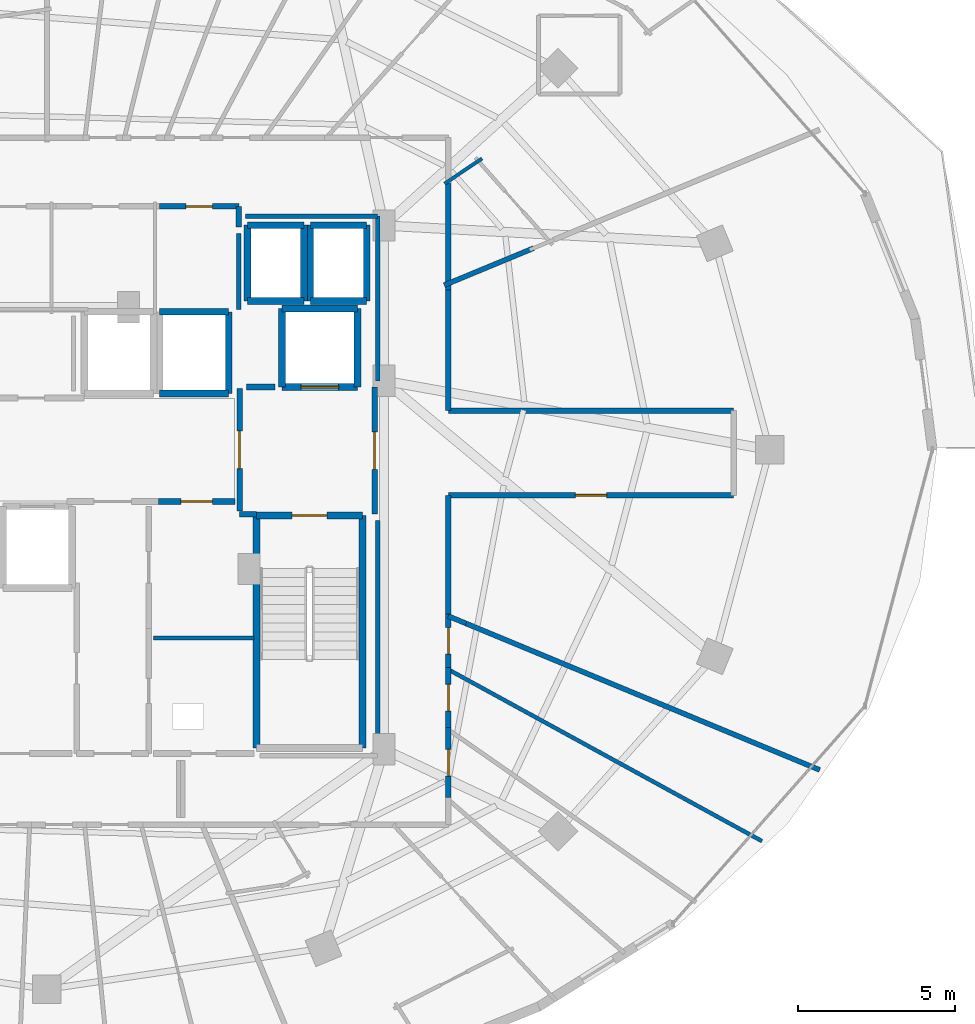
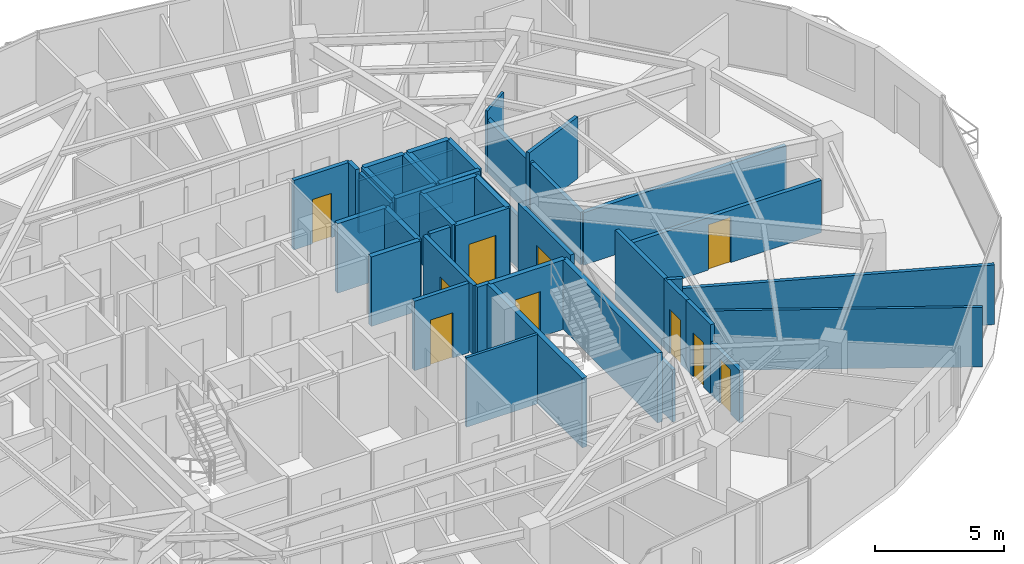
# One storey, part 28 of 33: 43 walls, 10 doors, 10 openings.
"""IFC4 building model written with IfcOpenShell, lengths in metres."""

from ifc_helpers import new_model, si_unit, direction, frame, frame_2d, origin, place, context, subcontext, project, spatial, rectangle, extrude, material, layer, layer_set, type_object, element, fill, save


model = new_model("IFC4")

# Units and contexts
model_context = context("Model", 3, precision=1e-05, world=origin(), true_north=direction((0.0, 1.0)))
body_context = subcontext(model_context, "Body", "Model", "MODEL_VIEW")
ifc_project = project(units=[si_unit("LENGTHUNIT", "METRE"), si_unit("AREAUNIT", "SQUARE_METRE"), si_unit("VOLUMEUNIT", "CUBIC_METRE"), si_unit("PLANEANGLEUNIT", "RADIAN"), si_unit("MASSUNIT", "GRAM", prefix="KILO")], contexts=[model_context])

# Site, building, storey
site_placement = place(None, origin())
site = spatial("IfcSite", under=ifc_project, at=site_placement, CompositionType="ELEMENT")
building_placement = place(site_placement, origin())
building = spatial("IfcBuilding", under=site, at=building_placement, Name="Vorneva Point Tower", CompositionType="ELEMENT")
storey_placement = place(building_placement, frame((0.0, 0.0, 217.85009765625)))
storey = spatial("IfcBuildingStorey", under=building, at=storey_placement, Name="L59", CompositionType="ELEMENT", Elevation=217.85009765625)

# Wall, opening, door
ifc_material_1 = material(Name="Concrete B60 (C50/60)", Category="concrete")
ifc_layer_1 = layer(ifc_material_1, 0.35009765625)
ifc_layer_set_1 = layer_set([ifc_layer_1], Name="Concrete B60 (C50/60)")
wall_type_1 = type_object("IfcWallType", Name="WL-CORE-350", PredefinedType="SHEAR", material=ifc_layer_set_1)
wall_1_placement = place(storey_placement, frame((45.5, 28.0, 0.0), z_axis=(0.0, 0.0, 1.0), x_axis=(1.0, 0.0, 0.0)))
wall_1 = element("IfcWall", 1, at=wall_1_placement, inside=storey, type_object=wall_type_1, Name="L59 Lift FFL2 Shaft Wall -Y", PredefinedType="SHEAR", context=body_context, shape_type="SweptSolid", body=[
    extrude(rectangle(XDim=2.39990234375, YDim=0.219970703125, at=frame_2d((1.199951171875, 0.0))), origin(), (0.0, 0.0, 1.0), 3.289794921875),
])
opening_1_placement = place(wall_1_placement, frame((0.60009765625, 0.0, 0.0)))
opening_1 = element("IfcOpeningElement", 2, at=opening_1_placement, cuts=wall_1, Name="Opening LD-02", PredefinedType="OPENING", context=body_context, shape_type="SweptSolid", body=[
    extrude(rectangle(XDim=1.199951171875, YDim=2.199951171875, at=frame_2d((0.60009765625, 1.10009765625))), frame((0.0, 0.125, 0.0), z_axis=(0.0, -1.0, 0.0), x_axis=(1.0, 0.0, 0.0)), (0.0, 0.0, 1.0), 0.249755859375),
])
ifc_material_2 = material(Name="Brushed stainless steel S304", Category="steel")
door_type_1 = type_object("IfcDoorType", Name="LD-FIRE-1200", OperationType="SLIDING_TO_LEFT", PredefinedType="DOOR", material=ifc_material_2)
door_1_placement = place(opening_1_placement, origin())
door_1 = element("IfcDoor", 3, at=door_1_placement, inside=storey, type_object=door_type_1, Name="L59 Lift FFL2 Sliding Landing Door", OperationType="SLIDING_TO_LEFT", OverallHeight=2.199951171875, OverallWidth=1.199951171875, PredefinedType="DOOR", context=body_context, shape_type="SweptSolid", body=[
    extrude(rectangle(XDim=1.199951171875, YDim=2.199951171875, at=frame_2d((0.60009765625, 1.10009765625))), frame((0.0, 0.02490234375, 0.0), z_axis=(0.0, -1.0, 0.0), x_axis=(1.0, 0.0, 0.0)), (0.0, 0.0, 1.0), 0.050048828125),
])
fill(opening_1, door_1)

# Walls
wall_2_placement = place(storey_placement, frame((47.89990234375, 28.0, 0.0), z_axis=(0.0, 0.0, 1.0), x_axis=(0.0, 1.0, 0.0)))
element("IfcWall", 4, at=wall_2_placement, inside=storey, type_object=wall_type_1, Name="L59 Lift FFL2 Shaft Wall +X", PredefinedType="SHEAR", context=body_context, shape_type="SweptSolid", body=[
    extrude(rectangle(XDim=2.5, YDim=0.219970703125, at=frame_2d((1.25, 0.0))), origin(), (0.0, 0.0, 1.0), 3.289794921875),
])
wall_3_placement = place(storey_placement, frame((47.89990234375, 30.5, 0.0), z_axis=(0.0, 0.0, 1.0), x_axis=(-1.0, 0.0, 0.0)))
element("IfcWall", 5, at=wall_3_placement, inside=storey, type_object=wall_type_1, Name="L59 Lift FFL2 Shaft Wall +Y", PredefinedType="SHEAR", context=body_context, shape_type="SweptSolid", body=[
    extrude(rectangle(XDim=2.39990234375, YDim=0.219970703125, at=frame_2d((1.199951171875, 0.0))), origin(), (0.0, 0.0, 1.0), 3.289794921875),
])
wall_4_placement = place(storey_placement, frame((45.5, 30.5, 0.0), z_axis=(0.0, 0.0, 1.0), x_axis=(0.0, -1.0, 0.0)))
element("IfcWall", 6, at=wall_4_placement, inside=storey, type_object=wall_type_1, Name="L59 Lift FFL2 Shaft Wall -X", PredefinedType="SHEAR", context=body_context, shape_type="SweptSolid", body=[
    extrude(rectangle(XDim=2.5, YDim=0.219970703125, at=frame_2d((1.25, 0.0))), origin(), (0.0, 0.0, 1.0), 3.289794921875),
])
ifc_material_3 = material(Name="Fire-rated acoustic gypsum stud partition", Category="gypsum")
ifc_layer_2 = layer(ifc_material_3, 0.110107421875)
ifc_layer_set_2 = layer_set([ifc_layer_2], Name="Fire-rated acoustic gypsum stud partition")
wall_type_2 = type_object("IfcWallType", Name="WL-PART-110", PredefinedType="PARTITIONING", material=ifc_layer_set_2)
wall_5_placement = place(storey_placement, frame((50.68359375, 34.486083984375, 0.0), z_axis=(0.0, 0.0, 1.0), x_axis=(0.830948636418, 0.556349138253, 0.0)))
element("IfcWall", 7, at=wall_5_placement, inside=storey, type_object=wall_type_2, Name="L59 Interior Partition 084", PredefinedType="PARTITIONING", context=body_context, shape_type="SweptSolid", body=[
    extrude(rectangle(XDim=1.43408203125, YDim=0.110107421875, at=frame_2d((0.717041015625, 0.0))), origin(), (0.0, 0.0, 1.0), 2.923828125),
])
ifc_layer_3 = layer(ifc_material_3, 0.125)
ifc_layer_set_3 = layer_set([ifc_layer_3], Name="Fire-rated acoustic gypsum stud partition")
wall_type_3 = type_object("IfcWallType", Name="WL-PART-125", PredefinedType="PARTITIONING", material=ifc_layer_set_3)
wall_6_placement = place(storey_placement, frame((44.60009765625, 20.0, 0.0), z_axis=(0.0, 0.0, 1.0), x_axis=(-1.0, 0.0, 0.0)))
element("IfcWall", 8, at=wall_6_placement, inside=storey, type_object=wall_type_3, Name="L59 Interior Partition 018", PredefinedType="PARTITIONING", context=body_context, shape_type="SweptSolid", body=[
    extrude(rectangle(XDim=3.2001953125, YDim=0.125, at=frame_2d((1.60009765625, 0.0))), origin(), (0.0, 0.0, 1.0), 3.289794921875),
])
wall_7_placement = place(storey_placement, frame((60.800048828125, 13.52392578125, 0.0), z_axis=(0.0, 0.0, 1.0), x_axis=(-0.877244884683, 0.480043135871, 0.0)))
element("IfcWall", 9, at=wall_7_placement, inside=storey, type_object=wall_type_3, Name="L59 Interior Partition 161", PredefinedType="PARTITIONING", context=body_context, shape_type="SweptSolid", body=[
    extrude(rectangle(XDim=11.3994140625, YDim=0.125, at=frame_2d((5.69970703125, 0.0))), origin(), (0.0, 0.0, 1.0), 2.823974609375),
])
ifc_layer_4 = layer(ifc_material_3, 0.139892578125)
ifc_layer_set_4 = layer_set([ifc_layer_4], Name="Fire-rated acoustic gypsum stud partition")
wall_type_4 = type_object("IfcWallType", Name="WL-PART-140", PredefinedType="PARTITIONING", material=ifc_layer_set_4)
wall_8_placement = place(storey_placement, frame((44.1201171875, 30.47998046875, 0.0), z_axis=(0.0, 0.0, 1.0), x_axis=(0.0, 1.0, 0.0)))
element("IfcWall", 10, at=wall_8_placement, inside=storey, type_object=wall_type_4, Name="L59 Interior Closure Partition 167", PredefinedType="PARTITIONING", context=body_context, shape_type="SweptSolid", body=[
    extrude(rectangle(XDim=2.409912109375, YDim=0.139892578125, at=frame_2d((1.205078125, 0.0))), origin(), (0.0, 0.0, 1.0), 3.289794921875),
])
wall_9_placement = place(storey_placement, frame((48.550048828125, 28.196044921875, 0.0), z_axis=(0.0, 0.0, 1.0), x_axis=(0.0, 1.0, 0.0)))
element("IfcWall", 11, at=wall_9_placement, inside=storey, type_object=wall_type_4, Name="L59 Interior Closure Partition 174", PredefinedType="PARTITIONING", context=body_context, shape_type="SweptSolid", body=[
    extrude(rectangle(XDim=5.25390625, YDim=0.139892578125, at=frame_2d((2.626953125, 0.0))), origin(), (0.0, 0.0, 1.0), 2.48193359375),
])
wall_10_placement = place(storey_placement, frame((48.550048828125, 33.449951171875, 0.0), z_axis=(0.0, 0.0, 1.0), x_axis=(-1.0, 0.0, 0.0)))
element("IfcWall", 12, at=wall_10_placement, inside=storey, type_object=wall_type_4, Name="L59 Interior Closure Partition 175", PredefinedType="PARTITIONING", context=body_context, shape_type="SweptSolid", body=[
    extrude(rectangle(XDim=4.2099609375, YDim=0.139892578125, at=frame_2d((2.10498046875, 0.0))), origin(), (0.0, 0.0, 1.0), 2.48193359375),
])
wall_11_placement = place(storey_placement, frame((48.550048828125, 16.239990234375, 0.0), z_axis=(0.0, 0.0, 1.0), x_axis=(0.0, 1.0, 0.0)))
element("IfcWall", 13, at=wall_11_placement, inside=storey, type_object=wall_type_4, Name="L59 Interior Closure Partition 184", PredefinedType="PARTITIONING", context=body_context, shape_type="SweptSolid", body=[
    extrude(rectangle(XDim=7.513916015625, YDim=0.139892578125, at=frame_2d((3.7568359375, 0.0))), origin(), (0.0, 0.0, 1.0), 2.48193359375),
])
ifc_layer_5 = layer(ifc_material_3, 0.159912109375)
ifc_layer_set_5 = layer_set([ifc_layer_5], Name="Fire-rated acoustic gypsum stud partition")
wall_type_5 = type_object("IfcWallType", Name="WL-PART-160", PredefinedType="PARTITIONING", material=ifc_layer_set_5)
wall_12_placement = place(storey_placement, frame((50.670654296875, 31.248291015625, 0.0), z_axis=(0.0, 0.0, 1.0), x_axis=(0.923905073908, 0.382621764158, 0.0)))
element("IfcWall", 14, at=wall_12_placement, inside=storey, type_object=wall_type_5, Name="L59 Interior Partition 097", PredefinedType="PARTITIONING", context=body_context, shape_type="SweptSolid", body=[
    extrude(rectangle(XDim=3.08837890625, YDim=0.159912109375, at=frame_2d((1.544189453125, 0.0))), origin(), (0.0, 0.0, 1.0), 2.923828125),
])
wall_13_placement = place(storey_placement, frame((51.368896484375, 20.4619140625, 0.0), z_axis=(0.0, 0.0, 1.0), x_axis=(-0.923615496363, 0.383320251066, 0.0)))
element("IfcWall", 15, at=wall_13_placement, inside=storey, type_object=wall_type_5, Name="L59 Interior Partition 162", PredefinedType="PARTITIONING", context=body_context, shape_type="SweptSolid", body=[
    extrude(rectangle(XDim=0.615966796875, YDim=0.159912109375, at=frame_2d((0.30810546875, 0.0))), origin(), (0.0, 0.0, 1.0), 3.289794921875),
])
wall_14_placement = place(storey_placement, frame((62.639892578125, 15.7939453125, 0.0), z_axis=(0.0, 0.0, 1.0), x_axis=(-0.923897809723, 0.382639304291, 0.0)))
element("IfcWall", 16, at=wall_14_placement, inside=storey, type_object=wall_type_5, Name="L59 Interior Partition 163", PredefinedType="PARTITIONING", context=body_context, shape_type="SweptSolid", body=[
    extrude(rectangle(XDim=12.199462890625, YDim=0.159912109375, at=frame_2d((6.099609375, 0.0))), origin(), (0.0, 0.0, 1.0), 2.823974609375),
])

# Wall, opening, door
ifc_material_4 = material(Name="Autoclaved aerated concrete blockwork", Category="masonry")
ifc_layer_6 = layer(ifc_material_4, 0.179931640625)
ifc_layer_set_6 = layer_set([ifc_layer_6], Name="Autoclaved aerated concrete blockwork")
wall_type_6 = type_object("IfcWallType", Name="WL-PART-180", PredefinedType="PARTITIONING", material=ifc_layer_set_6)
wall_15_placement = place(storey_placement, frame((44.14990234375, 27.955078125, 0.0), z_axis=(0.0, 0.0, 1.0), x_axis=(0.0, -1.0, 0.0)))
wall_15 = element("IfcWall", 17, at=wall_15_placement, inside=storey, type_object=wall_type_6, Name="L59 Interior Partition 003", PredefinedType="PARTITIONING", context=body_context, shape_type="SweptSolid", body=[
    extrude(rectangle(XDim=3.91015625, YDim=0.179931640625, at=frame_2d((1.955078125, 0.0))), origin(), (0.0, 0.0, 1.0), 3.289794921875),
])
opening_2_placement = place(wall_15_placement, frame((1.35498046875, 0.0, 0.0)))
opening_2 = element("IfcOpeningElement", 18, at=opening_2_placement, cuts=wall_15, Name="Opening FD-02", PredefinedType="OPENING", context=body_context, shape_type="SweptSolid", body=[
    extrude(rectangle(XDim=1.199951171875, YDim=2.14990234375, at=frame_2d((0.60009765625, 1.074951171875))), frame((0.0, 0.10498046875, 0.0), z_axis=(0.0, -1.0, 0.0), x_axis=(1.0, 0.0, 0.0)), (0.0, 0.0, 1.0), 0.209716796875),
])
ifc_material_5 = material(Name="Fire-rated powder-coated steel", Category="steel")
door_type_2 = type_object("IfcDoorType", Name="DR-FFL-1200", OperationType="NOTDEFINED", PredefinedType="DOOR", material=ifc_material_5)
door_2_placement = place(opening_2_placement, origin())
door_2 = element("IfcDoor", 19, at=door_2_placement, inside=storey, type_object=door_type_2, Name="L59 Door East Firefighting Lobby / Central Lift Lobby", OperationType="SINGLE_SWING_LEFT", OverallHeight=2.14990234375, OverallWidth=1.199951171875, PredefinedType="DOOR", context=body_context, shape_type="SweptSolid", body=[
    extrude(rectangle(XDim=1.199951171875, YDim=2.14990234375, at=frame_2d((0.60009765625, 1.074951171875))), frame((0.0, 0.02490234375, 0.0), z_axis=(0.0, -1.0, 0.0), x_axis=(1.0, 0.0, 0.0)), (0.0, 0.0, 1.0), 0.050048828125),
])
fill(opening_2, door_2)

# Wall
wall_16_placement = place(storey_placement, frame((44.14990234375, 23.949951171875, 0.0), z_axis=(0.0, 0.0, 1.0), x_axis=(1.0, 0.0, 0.0)))
element("IfcWall", 20, at=wall_16_placement, inside=storey, type_object=wall_type_6, Name="L59 Interior Partition 004", PredefinedType="PARTITIONING", context=body_context, shape_type="SweptSolid", body=[
    extrude(rectangle(XDim=0.5400390625, YDim=0.179931640625, at=frame_2d((0.27001953125, 0.0))), origin(), (0.0, 0.0, 1.0), 3.289794921875),
])

# Wall, opening, door
wall_17_placement = place(storey_placement, frame((48.449951171875, 23.949951171875, 0.0), z_axis=(0.0, 0.0, 1.0), x_axis=(0.0, 1.0, 0.0)))
wall_17 = element("IfcWall", 21, at=wall_17_placement, inside=storey, type_object=wall_type_6, Name="L59 Interior Partition 005", PredefinedType="PARTITIONING", context=body_context, shape_type="SweptSolid", body=[
    extrude(rectangle(XDim=4.050048828125, YDim=0.179931640625, at=frame_2d((2.02490234375, 0.0))), origin(), (0.0, 0.0, 1.0), 3.289794921875),
])
opening_3_placement = place(wall_17_placement, frame((1.425048828125, 0.0, 0.0)))
opening_3 = element("IfcOpeningElement", 22, at=opening_3_placement, cuts=wall_17, Name="Opening FD-02", PredefinedType="OPENING", context=body_context, shape_type="SweptSolid", body=[
    extrude(rectangle(XDim=1.199951171875, YDim=2.14990234375, at=frame_2d((0.60009765625, 1.074951171875))), frame((0.0, 0.10498046875, 0.0), z_axis=(0.0, -1.0, 0.0), x_axis=(1.0, 0.0, 0.0)), (0.0, 0.0, 1.0), 0.209716796875),
])
door_3_placement = place(opening_3_placement, origin())
door_3 = element("IfcDoor", 23, at=door_3_placement, inside=storey, type_object=door_type_2, Name="L59 Door East Firefighting Lobby / L59 Circulation Corridor", OperationType="SINGLE_SWING_LEFT", OverallHeight=2.14990234375, OverallWidth=1.199951171875, PredefinedType="DOOR", context=body_context, shape_type="SweptSolid", body=[
    extrude(rectangle(XDim=1.199951171875, YDim=2.14990234375, at=frame_2d((0.60009765625, 1.074951171875))), frame((0.0, 0.02490234375, 0.0), z_axis=(0.0, -1.0, 0.0), x_axis=(1.0, 0.0, 0.0)), (0.0, 0.0, 1.0), 0.050048828125),
])
fill(opening_3, door_3)

wall_18_placement = place(storey_placement, frame((41.554931640625, 24.35009765625, 0.0), z_axis=(0.0, 0.0, 1.0), x_axis=(1.0, 0.0, 0.0)))
wall_18 = element("IfcWall", 24, at=wall_18_placement, inside=storey, type_object=wall_type_6, Name="L59 Interior Partition 011", PredefinedType="PARTITIONING", context=body_context, shape_type="SweptSolid", body=[
    extrude(rectangle(XDim=2.445068359375, YDim=0.179931640625, at=frame_2d((1.22265625, 0.0))), origin(), (0.0, 0.0, 1.0), 3.289794921875),
])
opening_4_placement = place(wall_18_placement, frame((0.722412109375, 0.0, 0.0)))
opening_4 = element("IfcOpeningElement", 25, at=opening_4_placement, cuts=wall_18, Name="Opening UD-01", PredefinedType="OPENING", context=body_context, shape_type="SweptSolid", body=[
    extrude(rectangle(XDim=1.0, YDim=2.14990234375, at=frame_2d((0.5, 1.074951171875))), frame((0.0, 0.10498046875, 0.0), z_axis=(0.0, -1.0, 0.0), x_axis=(1.0, 0.0, 0.0)), (0.0, 0.0, 1.0), 0.209716796875),
])
ifc_material_6 = material(Name="Engineered oak fire-rated door leaf", Category="wood")
door_type_3 = type_object("IfcDoorType", Name="DR-UNIT-1000", OperationType="NOTDEFINED", PredefinedType="DOOR", material=ifc_material_6)
door_4_placement = place(opening_4_placement, origin())
door_4 = element("IfcDoor", 26, at=door_4_placement, inside=storey, type_object=door_type_3, Name="L59 Door Central Lift Lobby / Floor Management Office", OperationType="SINGLE_SWING_LEFT", OverallHeight=2.14990234375, OverallWidth=1.0, PredefinedType="DOOR", context=body_context, shape_type="SweptSolid", body=[
    extrude(rectangle(XDim=1.0, YDim=2.14990234375, at=frame_2d((0.5, 1.074951171875))), frame((0.0, 0.02490234375, 0.0), z_axis=(0.0, -1.0, 0.0), x_axis=(1.0, 0.0, 0.0)), (0.0, 0.0, 1.0), 0.050048828125),
])
fill(opening_4, door_4)

wall_19_placement = place(storey_placement, frame((44.1201171875, 33.760009765625, 0.0), z_axis=(0.0, 0.0, 1.0), x_axis=(-1.0, 0.0, 0.0)))
wall_19 = element("IfcWall", 27, at=wall_19_placement, inside=storey, type_object=wall_type_6, Name="L59 Interior Partition 029", PredefinedType="PARTITIONING", context=body_context, shape_type="SweptSolid", body=[
    extrude(rectangle(XDim=2.530029296875, YDim=0.179931640625, at=frame_2d((1.26513671875, 0.0))), origin(), (0.0, 0.0, 1.0), 3.289794921875),
])
opening_5_placement = place(wall_19_placement, frame((0.840087890625, 0.0, 0.0)))
opening_5 = element("IfcOpeningElement", 28, at=opening_5_placement, cuts=wall_19, Name="Opening ID-02", PredefinedType="OPENING", context=body_context, shape_type="SweptSolid", body=[
    extrude(rectangle(XDim=0.85009765625, YDim=2.10009765625, at=frame_2d((0.425048828125, 1.050048828125))), frame((0.0, 0.10498046875, 0.0), z_axis=(0.0, -1.0, 0.0), x_axis=(1.0, 0.0, 0.0)), (0.0, 0.0, 1.0), 0.209716796875),
])
door_type_4 = type_object("IfcDoorType", Name="DR-BATH-850", OperationType="NOTDEFINED", PredefinedType="DOOR", material=ifc_material_6)
door_5_placement = place(opening_5_placement, origin())
door_5 = element("IfcDoor", 29, at=door_5_placement, inside=storey, type_object=door_type_4, Name="L59 Door Cleaners Store / L59 Circulation Corridor", OperationType="SINGLE_SWING_RIGHT", OverallHeight=2.10009765625, OverallWidth=0.85009765625, PredefinedType="DOOR", context=body_context, shape_type="SweptSolid", body=[
    extrude(rectangle(XDim=0.85009765625, YDim=2.10009765625, at=frame_2d((0.425048828125, 1.050048828125))), frame((0.0, 0.02490234375, 0.0), z_axis=(0.0, -1.0, 0.0), x_axis=(1.0, 0.0, 0.0)), (0.0, 0.0, 1.0), 0.050048828125),
])
fill(opening_5, door_5)

# Walls
wall_20_placement = place(storey_placement, frame((44.1201171875, 33.110107421875, 0.0), z_axis=(0.0, 0.0, 1.0), x_axis=(0.0, 1.0, 0.0)))
element("IfcWall", 30, at=wall_20_placement, inside=storey, type_object=wall_type_6, Name="L59 Interior Partition 030", PredefinedType="PARTITIONING", context=body_context, shape_type="SweptSolid", body=[
    extrude(rectangle(XDim=0.64990234375, YDim=0.179931640625, at=frame_2d((0.324951171875, 0.0))), origin(), (0.0, 0.0, 1.0), 3.289794921875),
])
wall_21_placement = place(storey_placement, frame((50.800048828125, 31.10205078125, 0.0), z_axis=(0.0, 0.0, 1.0), x_axis=(0.0, 1.0, 0.0)))
element("IfcWall", 31, at=wall_21_placement, inside=storey, type_object=wall_type_6, Name="L59 Interior Partition 036", PredefinedType="PARTITIONING", context=body_context, shape_type="SweptSolid", body=[
    extrude(rectangle(XDim=3.5419921875, YDim=0.179931640625, at=frame_2d((1.77099609375, 0.0))), origin(), (0.0, 0.0, 1.0), 2.48193359375),
])

# Wall, opening, door
wall_22_placement = place(storey_placement, frame((50.800048828125, 14.908935546875, 0.0), z_axis=(0.0, 0.0, 1.0), x_axis=(0.0, 1.0, 0.0)))
wall_22 = element("IfcWall", 32, at=wall_22_placement, inside=storey, type_object=wall_type_6, Name="L59 Interior Partition 076", PredefinedType="PARTITIONING", context=body_context, shape_type="SweptSolid", body=[
    extrude(rectangle(XDim=2.22998046875, YDim=0.179931640625, at=frame_2d((1.114990234375, 0.0))), origin(), (0.0, 0.0, 1.0), 2.48193359375),
])
opening_6_placement = place(wall_22_placement, frame((0.68994140625, 0.0, 0.0)))
opening_6 = element("IfcOpeningElement", 33, at=opening_6_placement, cuts=wall_22, Name="Opening ID-02", PredefinedType="OPENING", context=body_context, shape_type="SweptSolid", body=[
    extrude(rectangle(XDim=0.85009765625, YDim=2.10009765625, at=frame_2d((0.425048828125, 1.050048828125))), frame((0.0, 0.10498046875, 0.0), z_axis=(0.0, -1.0, 0.0), x_axis=(1.0, 0.0, 0.0)), (0.0, 0.0, 1.0), 0.209716796875),
])
door_6_placement = place(opening_6_placement, origin())
door_6 = element("IfcDoor", 34, at=door_6_placement, inside=storey, type_object=door_type_4, Name="L59 Access Door L59 Circulation Corridor", OperationType="SINGLE_SWING_RIGHT", OverallHeight=2.10009765625, OverallWidth=0.85009765625, PredefinedType="DOOR", context=body_context, shape_type="SweptSolid", body=[
    extrude(rectangle(XDim=0.85009765625, YDim=2.10009765625, at=frame_2d((0.425048828125, 1.050048828125))), frame((0.0, 0.02490234375, 0.0), z_axis=(0.0, -1.0, 0.0), x_axis=(1.0, 0.0, 0.0)), (0.0, 0.0, 1.0), 0.050048828125),
])
fill(opening_6, door_6)

wall_23_placement = place(storey_placement, frame((50.800048828125, 17.138916015625, 0.0), z_axis=(0.0, 0.0, 1.0), x_axis=(0.0, 1.0, 0.0)))
wall_23 = element("IfcWall", 35, at=wall_23_placement, inside=storey, type_object=wall_type_6, Name="L59 Interior Partition 077", PredefinedType="PARTITIONING", context=body_context, shape_type="SweptSolid", body=[
    extrude(rectangle(XDim=1.9169921875, YDim=0.179931640625, at=frame_2d((0.95849609375, 0.0))), origin(), (0.0, 0.0, 1.0), 3.289794921875),
])
opening_7_placement = place(wall_23_placement, frame((0.533447265625, 0.0, 0.0)))
opening_7 = element("IfcOpeningElement", 36, at=opening_7_placement, cuts=wall_23, Name="Opening ID-02", PredefinedType="OPENING", context=body_context, shape_type="SweptSolid", body=[
    extrude(rectangle(XDim=0.85009765625, YDim=2.10009765625, at=frame_2d((0.425048828125, 1.050048828125))), frame((0.0, 0.10498046875, 0.0), z_axis=(0.0, -1.0, 0.0), x_axis=(1.0, 0.0, 0.0)), (0.0, 0.0, 1.0), 0.209716796875),
])
door_7_placement = place(opening_7_placement, origin())
door_7 = element("IfcDoor", 37, at=door_7_placement, inside=storey, type_object=door_type_4, Name="L59 Access Door L59 Circulation Corridor", OperationType="SINGLE_SWING_LEFT", OverallHeight=2.10009765625, OverallWidth=0.85009765625, PredefinedType="DOOR", context=body_context, shape_type="SweptSolid", body=[
    extrude(rectangle(XDim=0.85009765625, YDim=2.10009765625, at=frame_2d((0.425048828125, 1.050048828125))), frame((0.0, 0.02490234375, 0.0), z_axis=(0.0, -1.0, 0.0), x_axis=(1.0, 0.0, 0.0)), (0.0, 0.0, 1.0), 0.050048828125),
])
fill(opening_7, door_7)

wall_24_placement = place(storey_placement, frame((50.800048828125, 19.055908203125, 0.0), z_axis=(0.0, 0.0, 1.0), x_axis=(0.0, 1.0, 0.0)))
wall_24 = element("IfcWall", 38, at=wall_24_placement, inside=storey, type_object=wall_type_6, Name="L59 Interior Partition 078", PredefinedType="PARTITIONING", context=body_context, shape_type="SweptSolid", body=[
    extrude(rectangle(XDim=1.7021484375, YDim=0.179931640625, at=frame_2d((0.85107421875, 0.0))), origin(), (0.0, 0.0, 1.0), 3.289794921875),
])
opening_8_placement = place(wall_24_placement, frame((0.426025390625, 0.0, 0.0)))
opening_8 = element("IfcOpeningElement", 39, at=opening_8_placement, cuts=wall_24, Name="Opening ID-02", PredefinedType="OPENING", context=body_context, shape_type="SweptSolid", body=[
    extrude(rectangle(XDim=0.85009765625, YDim=2.10009765625, at=frame_2d((0.425048828125, 1.050048828125))), frame((0.0, 0.10498046875, 0.0), z_axis=(0.0, -1.0, 0.0), x_axis=(1.0, 0.0, 0.0)), (0.0, 0.0, 1.0), 0.209716796875),
])
door_8_placement = place(opening_8_placement, origin())
door_8 = element("IfcDoor", 40, at=door_8_placement, inside=storey, type_object=door_type_4, Name="L59 Access Door L59 Circulation Corridor", OperationType="SINGLE_SWING_RIGHT", OverallHeight=2.10009765625, OverallWidth=0.85009765625, PredefinedType="DOOR", context=body_context, shape_type="SweptSolid", body=[
    extrude(rectangle(XDim=0.85009765625, YDim=2.10009765625, at=frame_2d((0.425048828125, 1.050048828125))), frame((0.0, 0.02490234375, 0.0), z_axis=(0.0, -1.0, 0.0), x_axis=(1.0, 0.0, 0.0)), (0.0, 0.0, 1.0), 0.050048828125),
])
fill(opening_8, door_8)

# Wall
wall_25_placement = place(storey_placement, frame((50.800048828125, 20.758056640625, 0.0), z_axis=(0.0, 0.0, 1.0), x_axis=(0.0, 1.0, 0.0)))
element("IfcWall", 41, at=wall_25_placement, inside=storey, type_object=wall_type_6, Name="L59 Interior Partition 079", PredefinedType="PARTITIONING", context=body_context, shape_type="SweptSolid", body=[
    extrude(rectangle(XDim=3.7919921875, YDim=0.179931640625, at=frame_2d((1.89599609375, 0.0))), origin(), (0.0, 0.0, 1.0), 3.289794921875),
])

# Wall, opening, door
wall_26_placement = place(storey_placement, frame((50.800048828125, 24.550048828125, 0.0), z_axis=(0.0, 0.0, 1.0), x_axis=(1.0, 0.0, 0.0)))
wall_26 = element("IfcWall", 42, at=wall_26_placement, inside=storey, type_object=wall_type_6, Name="L59 Interior Partition 080", PredefinedType="PARTITIONING", context=body_context, shape_type="SweptSolid", body=[
    extrude(rectangle(XDim=9.099853515625, YDim=0.179931640625, at=frame_2d((4.5498046875, 0.0))), origin(), (0.0, 0.0, 1.0), 2.48193359375),
])
opening_9_placement = place(wall_26_placement, frame((4.050048828125, 0.0, 0.0)))
opening_9 = element("IfcOpeningElement", 43, at=opening_9_placement, cuts=wall_26, Name="Opening UD-01", PredefinedType="OPENING", context=body_context, shape_type="SweptSolid", body=[
    extrude(rectangle(XDim=1.0, YDim=2.14990234375, at=frame_2d((0.5, 1.074951171875))), frame((0.0, 0.10498046875, 0.0), z_axis=(0.0, -1.0, 0.0), x_axis=(1.0, 0.0, 0.0)), (0.0, 0.0, 1.0), 0.209716796875),
])
door_9_placement = place(opening_9_placement, origin())
door_9 = element("IfcDoor", 44, at=door_9_placement, inside=storey, type_object=door_type_3, Name="L59 Door L59 Circulation Corridor / Residents Sky Lounge L59-06", OperationType="SINGLE_SWING_RIGHT", OverallHeight=2.14990234375, OverallWidth=1.0, PredefinedType="DOOR", context=body_context, shape_type="SweptSolid", body=[
    extrude(rectangle(XDim=1.0, YDim=2.14990234375, at=frame_2d((0.5, 1.074951171875))), frame((0.0, 0.02490234375, 0.0), z_axis=(0.0, -1.0, 0.0), x_axis=(1.0, 0.0, 0.0)), (0.0, 0.0, 1.0), 0.050048828125),
])
fill(opening_9, door_9)

# Walls
wall_27_placement = place(storey_placement, frame((59.89990234375, 27.25, 0.0), z_axis=(0.0, 0.0, 1.0), x_axis=(-1.0, 0.0, 0.0)))
element("IfcWall", 45, at=wall_27_placement, inside=storey, type_object=wall_type_6, Name="L59 Interior Partition 082", PredefinedType="PARTITIONING", context=body_context, shape_type="SweptSolid", body=[
    extrude(rectangle(XDim=9.099853515625, YDim=0.179931640625, at=frame_2d((4.5498046875, 0.0))), origin(), (0.0, 0.0, 1.0), 2.48193359375),
])
wall_28_placement = place(storey_placement, frame((50.800048828125, 27.25, 0.0), z_axis=(0.0, 0.0, 1.0), x_axis=(0.0, 1.0, 0.0)))
element("IfcWall", 46, at=wall_28_placement, inside=storey, type_object=wall_type_6, Name="L59 Interior Partition 083", PredefinedType="PARTITIONING", context=body_context, shape_type="SweptSolid", body=[
    extrude(rectangle(XDim=3.85205078125, YDim=0.179931640625, at=frame_2d((1.926025390625, 0.0))), origin(), (0.0, 0.0, 1.0), 2.48193359375),
])
wall_29_placement = place(storey_placement, frame((45.280029296875, 28.0, 0.0), z_axis=(0.0, 0.0, 1.0), x_axis=(-1.0, 0.0, 0.0)))
element("IfcWall", 47, at=wall_29_placement, inside=storey, type_object=wall_type_6, Name="L59 Interior Closure Partition 165", PredefinedType="PARTITIONING", context=body_context, shape_type="SweptSolid", body=[
    extrude(rectangle(XDim=0.9150390625, YDim=0.179931640625, at=frame_2d((0.45751953125, 0.0))), origin(), (0.0, 0.0, 1.0), 3.289794921875),
])

# Wall, opening, door
ifc_material_7 = material(Name="Concrete B50 (C40/50)", Category="concrete")
ifc_layer_7 = layer(ifc_material_7, 0.219970703125)
ifc_layer_set_7 = layer_set([ifc_layer_7], Name="Concrete B50 (C40/50)")
wall_type_7 = type_object("IfcWallType", Name="WL-SHFT-220", PredefinedType="SOLIDWALL", material=ifc_layer_set_7)
wall_30_placement = place(storey_placement, frame((44.68994140625, 23.909912109375, 0.0), z_axis=(0.0, 0.0, 1.0), x_axis=(1.0, 0.0, 0.0)))
wall_30 = element("IfcWall", 48, at=wall_30_placement, inside=storey, type_object=wall_type_7, Name="L59 Exit Stair ST2 Shaft Wall near", PredefinedType="SOLIDWALL", context=body_context, shape_type="SweptSolid", body=[
    extrude(rectangle(XDim=3.3701171875, YDim=0.219970703125, at=frame_2d((1.68505859375, 0.0))), origin(), (0.0, 0.0, 1.0), 3.289794921875),
])
opening_10_placement = place(wall_30_placement, frame((1.135009765625, 0.0, 0.0)))
opening_10 = element("IfcOpeningElement", 49, at=opening_10_placement, cuts=wall_30, Name="Opening FD-01", PredefinedType="OPENING", context=body_context, shape_type="SweptSolid", body=[
    extrude(rectangle(XDim=1.10009765625, YDim=2.14990234375, at=frame_2d((0.550048828125, 1.074951171875))), frame((0.0, 0.125, 0.0), z_axis=(0.0, -1.0, 0.0), x_axis=(1.0, 0.0, 0.0)), (0.0, 0.0, 1.0), 0.249755859375),
])
door_type_5 = type_object("IfcDoorType", Name="DR-STAIR-1100", OperationType="NOTDEFINED", PredefinedType="DOOR", material=ifc_material_5)
door_10_placement = place(opening_10_placement, origin())
door_10 = element("IfcDoor", 50, at=door_10_placement, inside=storey, type_object=door_type_5, Name="L59 Exit Stair ST2 Fire Door", OperationType="SINGLE_SWING_RIGHT", OverallHeight=2.14990234375, OverallWidth=1.10009765625, PredefinedType="DOOR", context=body_context, shape_type="SweptSolid", body=[
    extrude(rectangle(XDim=1.10009765625, YDim=2.14990234375, at=frame_2d((0.550048828125, 1.074951171875))), frame((0.0, 0.02490234375, 0.0), z_axis=(0.0, -1.0, 0.0), x_axis=(1.0, 0.0, 0.0)), (0.0, 0.0, 1.0), 0.050048828125),
])
fill(opening_10, door_10)

# Walls
for number, where, z_axis, x_axis, name in (
    (51, (48.06005859375, 23.909912109375, 0.0), (0.0, 0.0, 1.0), (0.0, -1.0, 0.0), "L59 Exit Stair ST2 Shaft Wall right"),
    (52, (44.68994140625, 16.489990234375, 0.0), (0.0, 0.0, 1.0), (0.0, 1.0, 0.0), "L59 Exit Stair ST2 Shaft Wall left"),
):
    element("IfcWall", number, at=place(storey_placement, frame(where, z_axis=z_axis, x_axis=x_axis)), inside=storey, type_object=wall_type_7, Name=name, PredefinedType="SOLIDWALL", context=body_context, shape_type="SweptSolid", body=[
        extrude(rectangle(XDim=7.419921875, YDim=0.219970703125, at=frame_2d((3.7099609375, 0.0))), origin(), (0.0, 0.0, 1.0), 3.289794921875),
    ])
wall_31_placement = place(storey_placement, frame((41.60009765625, 27.800048828125, 0.0), z_axis=(0.0, 0.0, 1.0), x_axis=(1.0, 0.0, 0.0)))
element("IfcWall", 53, at=wall_31_placement, inside=storey, type_object=wall_type_7, Name="L59 Lift PL8 Shaft Wall -Y", PredefinedType="SOLIDWALL", context=body_context, shape_type="SweptSolid", body=[
    extrude(rectangle(XDim=2.199951171875, YDim=0.219970703125, at=frame_2d((1.10009765625, 0.0))), origin(), (0.0, 0.0, 1.0), 3.289794921875),
])
wall_32_placement = place(storey_placement, frame((43.800048828125, 27.800048828125, 0.0), z_axis=(0.0, 0.0, 1.0), x_axis=(0.0, 1.0, 0.0)))
element("IfcWall", 54, at=wall_32_placement, inside=storey, type_object=wall_type_7, Name="L59 Lift PL8 Shaft Wall +X", PredefinedType="SOLIDWALL", context=body_context, shape_type="SweptSolid", body=[
    extrude(rectangle(XDim=2.599853515625, YDim=0.219970703125, at=frame_2d((1.2998046875, 0.0))), origin(), (0.0, 0.0, 1.0), 3.289794921875),
])
wall_33_placement = place(storey_placement, frame((43.800048828125, 30.39990234375, 0.0), z_axis=(0.0, 0.0, 1.0), x_axis=(-1.0, 0.0, 0.0)))
element("IfcWall", 55, at=wall_33_placement, inside=storey, type_object=wall_type_7, Name="L59 Lift PL8 Shaft Wall +Y", PredefinedType="SOLIDWALL", context=body_context, shape_type="SweptSolid", body=[
    extrude(rectangle(XDim=2.199951171875, YDim=0.219970703125, at=frame_2d((1.10009765625, 0.0))), origin(), (0.0, 0.0, 1.0), 3.289794921875),
])
wall_34_placement = place(storey_placement, frame((44.39990234375, 30.739990234375, 0.0), z_axis=(0.0, 0.0, 1.0), x_axis=(1.0, 0.0, 0.0)))
element("IfcWall", 56, at=wall_34_placement, inside=storey, type_object=wall_type_7, Name="L59 Lift EX1 Shaft Wall -Y", PredefinedType="SOLIDWALL", context=body_context, shape_type="SweptSolid", body=[
    extrude(rectangle(XDim=1.800048828125, YDim=0.219970703125, at=frame_2d((0.89990234375, 0.0))), origin(), (0.0, 0.0, 1.0), 3.289794921875),
])
wall_35_placement = place(storey_placement, frame((46.199951171875, 30.739990234375, 0.0), z_axis=(0.0, 0.0, 1.0), x_axis=(0.0, 1.0, 0.0)))
element("IfcWall", 57, at=wall_35_placement, inside=storey, type_object=wall_type_7, Name="L59 Lift EX1 Shaft Wall +X", PredefinedType="SOLIDWALL", context=body_context, shape_type="SweptSolid", body=[
    extrude(rectangle(XDim=2.419921875, YDim=0.219970703125, at=frame_2d((1.2099609375, 0.0))), origin(), (0.0, 0.0, 1.0), 3.289794921875),
])
wall_36_placement = place(storey_placement, frame((46.199951171875, 33.159912109375, 0.0), z_axis=(0.0, 0.0, 1.0), x_axis=(-1.0, 0.0, 0.0)))
element("IfcWall", 58, at=wall_36_placement, inside=storey, type_object=wall_type_7, Name="L59 Lift EX1 Shaft Wall +Y", PredefinedType="SOLIDWALL", context=body_context, shape_type="SweptSolid", body=[
    extrude(rectangle(XDim=1.800048828125, YDim=0.219970703125, at=frame_2d((0.89990234375, 0.0))), origin(), (0.0, 0.0, 1.0), 3.289794921875),
])
wall_37_placement = place(storey_placement, frame((44.39990234375, 33.159912109375, 0.0), z_axis=(0.0, 0.0, 1.0), x_axis=(0.0, -1.0, 0.0)))
element("IfcWall", 59, at=wall_37_placement, inside=storey, type_object=wall_type_7, Name="L59 Lift EX1 Shaft Wall -X", PredefinedType="SOLIDWALL", context=body_context, shape_type="SweptSolid", body=[
    extrude(rectangle(XDim=2.419921875, YDim=0.219970703125, at=frame_2d((1.2099609375, 0.0))), origin(), (0.0, 0.0, 1.0), 3.289794921875),
])
wall_38_placement = place(storey_placement, frame((46.39990234375, 30.739990234375, 0.0), z_axis=(0.0, 0.0, 1.0), x_axis=(1.0, 0.0, 0.0)))
element("IfcWall", 60, at=wall_38_placement, inside=storey, type_object=wall_type_7, Name="L59 Lift EX2 Shaft Wall -Y", PredefinedType="SOLIDWALL", context=body_context, shape_type="SweptSolid", body=[
    extrude(rectangle(XDim=1.800048828125, YDim=0.219970703125, at=frame_2d((0.89990234375, 0.0))), origin(), (0.0, 0.0, 1.0), 3.289794921875),
])
wall_39_placement = place(storey_placement, frame((48.199951171875, 30.739990234375, 0.0), z_axis=(0.0, 0.0, 1.0), x_axis=(0.0, 1.0, 0.0)))
element("IfcWall", 61, at=wall_39_placement, inside=storey, type_object=wall_type_7, Name="L59 Lift EX2 Shaft Wall +X", PredefinedType="SOLIDWALL", context=body_context, shape_type="SweptSolid", body=[
    extrude(rectangle(XDim=2.419921875, YDim=0.219970703125, at=frame_2d((1.2099609375, 0.0))), origin(), (0.0, 0.0, 1.0), 3.289794921875),
])
wall_40_placement = place(storey_placement, frame((48.199951171875, 33.159912109375, 0.0), z_axis=(0.0, 0.0, 1.0), x_axis=(-1.0, 0.0, 0.0)))
element("IfcWall", 62, at=wall_40_placement, inside=storey, type_object=wall_type_7, Name="L59 Lift EX2 Shaft Wall +Y", PredefinedType="SOLIDWALL", context=body_context, shape_type="SweptSolid", body=[
    extrude(rectangle(XDim=1.800048828125, YDim=0.219970703125, at=frame_2d((0.89990234375, 0.0))), origin(), (0.0, 0.0, 1.0), 3.289794921875),
])
wall_41_placement = place(storey_placement, frame((46.39990234375, 33.159912109375, 0.0), z_axis=(0.0, 0.0, 1.0), x_axis=(0.0, -1.0, 0.0)))
element("IfcWall", 63, at=wall_41_placement, inside=storey, type_object=wall_type_7, Name="L59 Lift EX2 Shaft Wall -X", PredefinedType="SOLIDWALL", context=body_context, shape_type="SweptSolid", body=[
    extrude(rectangle(XDim=2.419921875, YDim=0.219970703125, at=frame_2d((1.2099609375, 0.0))), origin(), (0.0, 0.0, 1.0), 3.289794921875),
])

save(model, "model.ifc")
